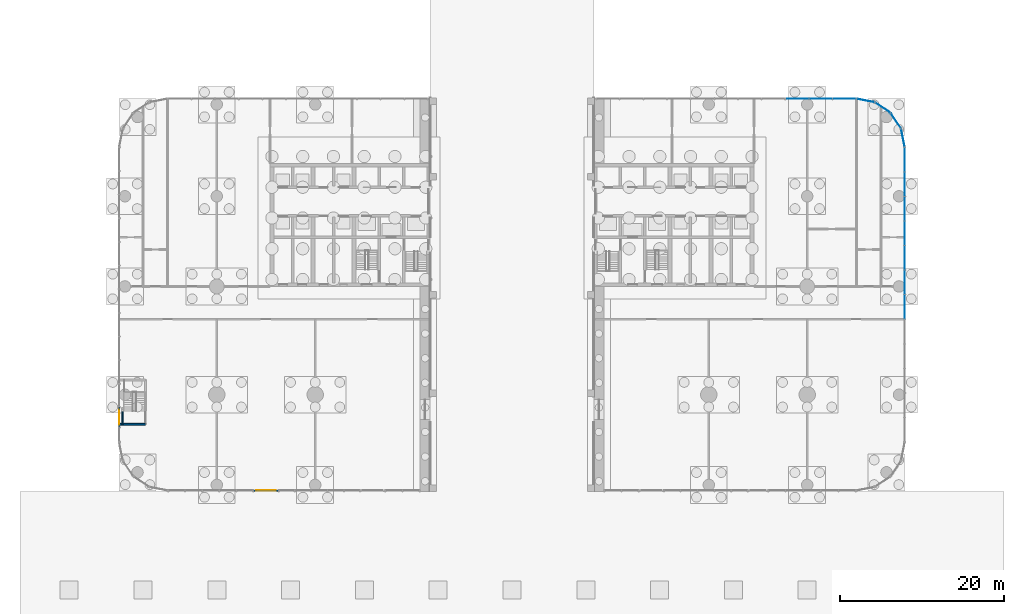
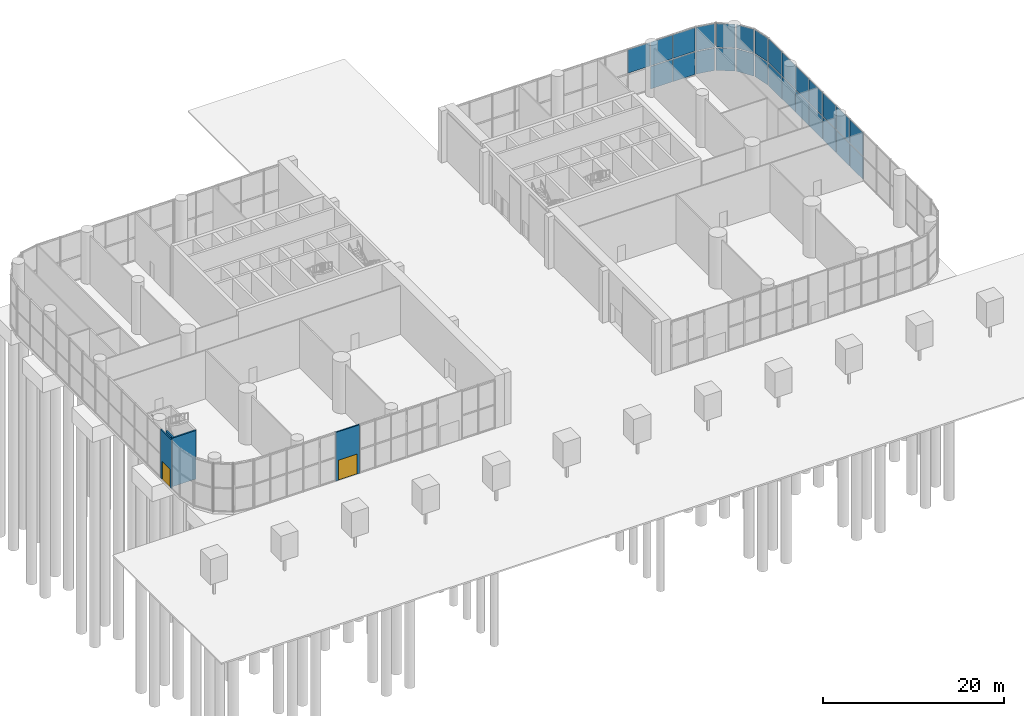
# One storey, part 16 of 26: 27 plates, 4 walls, 2 doors, 2 openings, 6 elements without a shape of their own.
"""IFC4 building model written with IfcOpenShell, lengths in metres."""

import ifcopenshell
import ifcopenshell.guid

model = None  # the IFC model being written
_history = None  # IfcOwnerHistory: only IFC2X3 demands one
_inside = {}  # id of a spatial element -> (the spatial element, [elements in it])
_under = {}  # id of a project, library or spatial element -> (it, [spatial elements below it])
_declared = {}  # id of a project -> (the project, [libraries it declares])
_typed = {}  # id of a type object -> (the type object, [elements of that type])
_made_of = {}  # id of a material, layer set ... -> (it, [elements and type objects made of it])


def new_model(schema):
    """Start an empty IFC model of exactly this schema.

    Asked for "IFC4X3", IfcOpenShell would pick the latest addendum, in which some entities
    have other attributes; the version numbers below select the first issue.
    IFC2X3 requires an IfcOwnerHistory on every rooted entity: one is made here for all.
    """
    global model, _history
    if schema == "IFC4X3":
        model = ifcopenshell.file(schema_version=(4, 3, 0, 0))
    else:
        model = ifcopenshell.file(schema=schema)
    _inside.clear()
    _under.clear()
    _declared.clear()
    _typed.clear()
    _made_of.clear()
    _history = None
    if model.schema == "IFC2X3":
        org = make("IfcOrganization", Name="unknown")
        user = make(
            "IfcPersonAndOrganization",
            ThePerson=make("IfcPerson", FamilyName="unknown"),
            TheOrganization=org,
        )
        app = make(
            "IfcApplication",
            ApplicationDeveloper=org,
            Version="unknown",
            ApplicationFullName="unknown",
            ApplicationIdentifier="unknown",
        )
        _history = make(
            "IfcOwnerHistory",
            OwningUser=user,
            OwningApplication=app,
            ChangeAction="ADDED",
            CreationDate=0,
        )
    return model


def make(cls, **values):
    """One entity of the class cls with the attributes given. An attribute that is None is left unset."""
    return model.create_entity(
        cls, **{name: value for name, value in values.items() if value is not None}
    )


def rooted(cls, **values):
    """An entity with a GlobalId (a new one), such as an element, a storey or a relation."""
    return make(cls, GlobalId=ifcopenshell.guid.new(), OwnerHistory=_history, **values)


def si_unit(unit_type, name, prefix=None):
    """IfcSIUnit, for example si_unit("LENGTHUNIT", "METRE", prefix="MILLI")."""
    return make("IfcSIUnit", UnitType=unit_type, Prefix=prefix, Name=name)


def assignment(units):
    """IfcUnitAssignment: the units of a project."""
    return None if units is None else make("IfcUnitAssignment", Units=units)


def point(xyz):
    """IfcCartesianPoint."""
    return None if xyz is None else make("IfcCartesianPoint", Coordinates=xyz)


def direction(xyz):
    """IfcDirection."""
    return None if xyz is None else make("IfcDirection", DirectionRatios=xyz)


def frame(location, z_axis=None, x_axis=None):
    """IfcAxis2Placement3D, a coordinate frame: its origin and axes. An axis left out is left unset."""
    return make(
        "IfcAxis2Placement3D",
        Location=point(location),
        Axis=direction(z_axis),
        RefDirection=direction(x_axis),
    )


def frame_2d(location, x_axis=None):
    """IfcAxis2Placement2D, a coordinate frame in the plane: its origin and x axis."""
    return make(
        "IfcAxis2Placement2D", Location=point(location), RefDirection=direction(x_axis)
    )


def origin():
    """The frame at (0, 0, 0) with its axes left unset."""
    return frame((0.0, 0.0, 0.0))


def origin_2d():
    """The frame at (0, 0) in the plane with its x axis left unset."""
    return frame_2d((0.0, 0.0))


def place(relative_to, where):
    """IfcLocalPlacement: puts the frame where relative to a parent placement (None: the world)."""
    return make(
        "IfcLocalPlacement", PlacementRelTo=relative_to, RelativePlacement=where
    )


def context(
    kind, dimensions, precision=None, world=None, true_north=None, identifier=None
):
    """IfcGeometricRepresentationContext, for example the 3D "Model" context."""
    return make(
        "IfcGeometricRepresentationContext",
        ContextIdentifier=identifier,
        ContextType=kind,
        CoordinateSpaceDimension=dimensions,
        Precision=precision,
        WorldCoordinateSystem=world,
        TrueNorth=true_north,
    )


def subcontext(parent, identifier, kind, view, scale=None):
    """IfcGeometricRepresentationSubContext, for example "Body" below "Model"."""
    return make(
        "IfcGeometricRepresentationSubContext",
        ContextIdentifier=identifier,
        ContextType=kind,
        ParentContext=parent,
        TargetScale=scale,
        TargetView=view,
    )


def project(units=None, contexts=None):
    """IfcProject with its units and contexts."""
    return rooted(
        "IfcProject",
        Name="project",
        RepresentationContexts=contexts,
        UnitsInContext=assignment(units),
    )


def spatial(cls, under=None, at=None, **own):
    """A site, building, storey or space (cls), placed at a placement, below another one or the project."""
    s = rooted(cls, ObjectPlacement=at, **own)
    if under is not None:
        _under.setdefault(under.id(), (under, []))[1].append(s)
    return s


def profile(cls, at=None, kind="AREA", **sizes):
    """A parametric profile (cls). Its sizes go by their IFC names, for example OverallWidth=200.0."""
    return make(cls, ProfileType=kind, Position=at, **sizes)


def rectangle(**sizes):
    """IfcRectangleProfileDef."""
    return profile("IfcRectangleProfileDef", **sizes)


def extrude(swept, where, along, depth):
    """IfcExtrudedAreaSolid: the profile swept, set in the frame where, extruded along a direction by depth."""
    return make(
        "IfcExtrudedAreaSolid",
        SweptArea=swept,
        Position=where,
        ExtrudedDirection=direction(along),
        Depth=depth,
    )


def shape(context_of_items, identifier, shape_type, items):
    """IfcShapeRepresentation: the items that make up one representation, for example the "Body"."""
    return make(
        "IfcShapeRepresentation",
        ContextOfItems=context_of_items,
        RepresentationIdentifier=identifier,
        RepresentationType=shape_type,
        Items=items,
    )


def material(Name=None, Category=None):
    """IfcMaterial."""
    return make("IfcMaterial", Name=Name, Category=Category)


def layer(
    of_material, thickness, ventilated=None, Name=None, Category=None, Priority=None
):
    """IfcMaterialLayer: one layer of a wall or slab, of a material (None: an air gap)."""
    return make(
        "IfcMaterialLayer",
        Material=of_material,
        LayerThickness=thickness,
        IsVentilated=ventilated,
        Name=Name,
        Category=Category,
        Priority=Priority,
    )


def layer_set(layers, Name=None):
    """IfcMaterialLayerSet."""
    return make("IfcMaterialLayerSet", MaterialLayers=layers, LayerSetName=Name)


def made_of(thing, what):
    """Note that an element or type object is made of a material, layer set ...; save() writes the relation."""
    if what is not None:
        _made_of.setdefault(what.id(), (what, []))[1].append(thing)
    return thing


def type_object(cls, material=None, **own):
    """A type object (cls), such as IfcWallType, which elements share."""
    return made_of(rooted(cls, **own), material)


def element(
    cls,
    number,
    at=None,
    inside=None,
    cuts=None,
    type_object=None,
    material=None,
    context=None,
    identifier="Body",
    shape_type=None,
    held_by="IfcProductDefinitionShape",
    body=None,
    shapes=None,
    **own,
):
    """One element of the class cls, such as IfcWall. Its Tag is "e" and its number.

    at: its placement. inside: the storey or other place that contains it. cuts: it is an
    opening in that element (IfcRelVoidsElement). A single representation is given by context,
    identifier, shape_type and body (its items); several are given by shapes. held_by: the class
    of the entity that holds the representations. save() writes the other relations.
    """
    e = rooted(cls, Tag="e%d" % number, ObjectPlacement=at, **own)
    if body is not None:
        shapes = [shape(context, identifier, shape_type, body)]
    if shapes is not None:
        e.Representation = make(held_by, Representations=shapes)
    if inside is not None:
        _inside.setdefault(inside.id(), (inside, []))[1].append(e)
    if cuts is not None:
        rooted(
            "IfcRelVoidsElement", RelatingBuildingElement=cuts, RelatedOpeningElement=e
        )
    if type_object is not None:
        _typed.setdefault(type_object.id(), (type_object, []))[1].append(e)
    return made_of(e, material)


def fill(opening, filler):
    """IfcRelFillsElement: the door or window that sits in an opening."""
    return rooted(
        "IfcRelFillsElement",
        RelatingOpeningElement=opening,
        RelatedBuildingElement=filler,
    )


def aggregate(whole, parts):
    """IfcRelAggregates: a whole, such as a stair, and the parts it consists of."""
    return rooted("IfcRelAggregates", RelatingObject=whole, RelatedObjects=parts)


def save(model, path):
    """Write the relations noted so far, then the file.

    IfcRelAggregates (storeys below a building ...), IfcRelContainedInSpatialStructure (elements
    in a storey), IfcRelDefinesByType, IfcRelAssociatesMaterial and IfcRelDeclares: one each for
    every whole, place, type object, material and project.
    """
    for whole, parts in _under.values():
        aggregate(whole, parts)
    for where, things in _inside.values():
        rooted(
            "IfcRelContainedInSpatialStructure",
            RelatedElements=things,
            RelatingStructure=where,
        )
    for kind, things in _typed.values():
        rooted("IfcRelDefinesByType", RelatedObjects=things, RelatingType=kind)
    for what, things in _made_of.values():
        rooted("IfcRelAssociatesMaterial", RelatedObjects=things, RelatingMaterial=what)
    for by, libraries in _declared.values():
        rooted("IfcRelDeclares", RelatingContext=by, RelatedDefinitions=libraries)
    model.write(path)


model = new_model("IFC4")

# Units and contexts
model_context = context("Model", 3, precision=1e-05, world=origin(), true_north=direction((0.0, 1.0)))
body_context = subcontext(model_context, "Body", "Model", "MODEL_VIEW")
ifc_project = project(units=[si_unit("LENGTHUNIT", "METRE"), si_unit("AREAUNIT", "SQUARE_METRE"), si_unit("VOLUMEUNIT", "CUBIC_METRE"), si_unit("PLANEANGLEUNIT", "RADIAN"), si_unit("MASSUNIT", "GRAM", prefix="KILO")], contexts=[model_context])

# Site, building, storey
site_placement = place(None, origin())
site = spatial("IfcSite", under=ifc_project, at=site_placement, CompositionType="ELEMENT")
building_placement = place(site_placement, origin())
building = spatial("IfcBuilding", under=site, at=building_placement, Name="Torana Hotel and Residences", CompositionType="ELEMENT")
storey_placement = place(building_placement, origin())
storey = spatial("IfcBuildingStorey", under=building, at=storey_placement, Name="L00", CompositionType="ELEMENT", Elevation=0.0)

# Curtain wall, plates
ifc_material_1 = material(Name="Dark anodised aluminium", Category="aluminium")
ifc_layer_1 = layer(ifc_material_1, 0.199951171875)
ifc_layer_set_1 = layer_set([ifc_layer_1], Name="CW1 PODIUM SHOPFRONT CURTAIN WALL")
curtain_wall_type = type_object("IfcCurtainWallType", Name="CW1 PODIUM SHOPFRONT CURTAIN WALL", PredefinedType="NOTDEFINED", material=ifc_layer_set_1)
curtain_wall_1_placement = place(storey_placement, origin())
curtain_wall_1 = element("IfcCurtainWall", 1, at=curtain_wall_1_placement, inside=storey, type_object=curtain_wall_type, Name="Curtain wall CW1 L00 e1.5-1", PredefinedType="NOTDEFINED")
ifc_material_2 = material(Name="Glass clear low-iron double glazed unit", Category="glass")
ifc_layer_2 = layer(ifc_material_2, 0.035888671875)
ifc_layer_set_2 = layer_set([ifc_layer_2], Name="CW1 DARK GLASS PANEL 36")
plate_type = type_object("IfcPlateType", Name="CW1 DARK GLASS PANEL 36", PredefinedType="CURTAIN_PANEL", material=ifc_layer_set_2)
plate_1_placement = place(storey_placement, frame((47.89990234375, -17.498046875, 0.119873046875), z_axis=(0.0, 0.0, 1.0), x_axis=(0.0, 1.0, 0.0)))
plate_1 = element("IfcPlate", 2, at=plate_1_placement, type_object=plate_type, Name="CW1 panel 6.1", PredefinedType="CURTAIN_PANEL", context=body_context, shape_type="SweptSolid", body=[
    extrude(rectangle(XDim=2.92578125, YDim=0.035888671875, at=origin_2d()), origin(), (0.0, 0.0, 1.0), 3.02001953125),
])
plate_2_placement = place(storey_placement, frame((47.89990234375, -17.498046875, 3.260009765625), z_axis=(0.0, 0.0, 1.0), x_axis=(0.0, 1.0, 0.0)))
plate_2 = element("IfcPlate", 3, at=plate_2_placement, type_object=plate_type, Name="CW1 panel 6.2", PredefinedType="CURTAIN_PANEL", context=body_context, shape_type="SweptSolid", body=[
    extrude(rectangle(XDim=2.92578125, YDim=0.035888671875, at=origin_2d()), origin(), (0.0, 0.0, 1.0), 3.169921875),
])
plate_3_placement = place(storey_placement, frame((47.89990234375, -14.501953125, 0.119873046875), z_axis=(0.0, 0.0, 1.0), x_axis=(0.0, 1.0, 0.0)))
plate_3 = element("IfcPlate", 4, at=plate_3_placement, type_object=plate_type, Name="CW1 panel 7.1", PredefinedType="CURTAIN_PANEL", context=body_context, shape_type="SweptSolid", body=[
    extrude(rectangle(XDim=2.92578125, YDim=0.035888671875, at=origin_2d()), origin(), (0.0, 0.0, 1.0), 3.02001953125),
])
plate_4_placement = place(storey_placement, frame((47.89990234375, -14.501953125, 3.260009765625), z_axis=(0.0, 0.0, 1.0), x_axis=(0.0, 1.0, 0.0)))
plate_4 = element("IfcPlate", 5, at=plate_4_placement, type_object=plate_type, Name="CW1 panel 7.2", PredefinedType="CURTAIN_PANEL", context=body_context, shape_type="SweptSolid", body=[
    extrude(rectangle(XDim=2.92578125, YDim=0.035888671875, at=origin_2d()), origin(), (0.0, 0.0, 1.0), 3.169921875),
])
plate_5_placement = place(storey_placement, frame((47.89990234375, -11.506103515625, 0.119873046875), z_axis=(0.0, 0.0, 1.0), x_axis=(0.0, 1.0, 0.0)))
plate_5 = element("IfcPlate", 6, at=plate_5_placement, type_object=plate_type, Name="CW1 panel 8.1", PredefinedType="CURTAIN_PANEL", context=body_context, shape_type="SweptSolid", body=[
    extrude(rectangle(XDim=2.92578125, YDim=0.035888671875, at=origin_2d()), origin(), (0.0, 0.0, 1.0), 3.02001953125),
])
plate_6_placement = place(storey_placement, frame((47.89990234375, -11.506103515625, 3.260009765625), z_axis=(0.0, 0.0, 1.0), x_axis=(0.0, 1.0, 0.0)))
plate_6 = element("IfcPlate", 7, at=plate_6_placement, type_object=plate_type, Name="CW1 panel 8.2", PredefinedType="CURTAIN_PANEL", context=body_context, shape_type="SweptSolid", body=[
    extrude(rectangle(XDim=2.92578125, YDim=0.035888671875, at=origin_2d()), origin(), (0.0, 0.0, 1.0), 3.169921875),
])
plate_7_placement = place(storey_placement, frame((47.89990234375, -8.51025390625, 0.119873046875), z_axis=(0.0, 0.0, 1.0), x_axis=(0.0, 1.0, 0.0)))
plate_7 = element("IfcPlate", 8, at=plate_7_placement, type_object=plate_type, Name="CW1 panel 9.1", PredefinedType="CURTAIN_PANEL", context=body_context, shape_type="SweptSolid", body=[
    extrude(rectangle(XDim=2.92578125, YDim=0.035888671875, at=origin_2d()), origin(), (0.0, 0.0, 1.0), 3.02001953125),
])
plate_8_placement = place(storey_placement, frame((47.89990234375, -8.51025390625, 3.260009765625), z_axis=(0.0, 0.0, 1.0), x_axis=(0.0, 1.0, 0.0)))
plate_8 = element("IfcPlate", 9, at=plate_8_placement, type_object=plate_type, Name="CW1 panel 9.2", PredefinedType="CURTAIN_PANEL", context=body_context, shape_type="SweptSolid", body=[
    extrude(rectangle(XDim=2.92578125, YDim=0.035888671875, at=origin_2d()), origin(), (0.0, 0.0, 1.0), 3.169921875),
])
plate_9_placement = place(storey_placement, frame((47.89990234375, -5.514404296875, 0.119873046875), z_axis=(0.0, 0.0, 1.0), x_axis=(0.0, 1.0, 0.0)))
plate_9 = element("IfcPlate", 10, at=plate_9_placement, type_object=plate_type, Name="CW1 panel 10.1", PredefinedType="CURTAIN_PANEL", context=body_context, shape_type="SweptSolid", body=[
    extrude(rectangle(XDim=2.92578125, YDim=0.035888671875, at=origin_2d()), origin(), (0.0, 0.0, 1.0), 3.02001953125),
])
plate_10_placement = place(storey_placement, frame((47.89990234375, -5.514404296875, 3.260009765625), z_axis=(0.0, 0.0, 1.0), x_axis=(0.0, 1.0, 0.0)))
plate_10 = element("IfcPlate", 11, at=plate_10_placement, type_object=plate_type, Name="CW1 panel 10.2", PredefinedType="CURTAIN_PANEL", context=body_context, shape_type="SweptSolid", body=[
    extrude(rectangle(XDim=2.92578125, YDim=0.035888671875, at=origin_2d()), origin(), (0.0, 0.0, 1.0), 3.169921875),
])
plate_11_placement = place(storey_placement, frame((47.89990234375, -2.5185546875, 0.119873046875), z_axis=(0.0, 0.0, 1.0), x_axis=(0.0, 1.0, 0.0)))
plate_11 = element("IfcPlate", 12, at=plate_11_placement, type_object=plate_type, Name="CW1 panel 11.1", PredefinedType="CURTAIN_PANEL", context=body_context, shape_type="SweptSolid", body=[
    extrude(rectangle(XDim=2.92578125, YDim=0.035888671875, at=origin_2d()), origin(), (0.0, 0.0, 1.0), 3.02001953125),
])
plate_12_placement = place(storey_placement, frame((47.89990234375, -2.5185546875, 3.260009765625), z_axis=(0.0, 0.0, 1.0), x_axis=(0.0, 1.0, 0.0)))
plate_12 = element("IfcPlate", 13, at=plate_12_placement, type_object=plate_type, Name="CW1 panel 11.2", PredefinedType="CURTAIN_PANEL", context=body_context, shape_type="SweptSolid", body=[
    extrude(rectangle(XDim=2.92578125, YDim=0.035888671875, at=origin_2d()), origin(), (0.0, 0.0, 1.0), 3.169921875),
])
plate_13_placement = place(storey_placement, frame((47.89990234375, 0.4599609375, 0.119873046875), z_axis=(0.0, 0.0, 1.0), x_axis=(0.0, 1.0, 0.0)))
plate_13 = element("IfcPlate", 14, at=plate_13_placement, type_object=plate_type, Name="CW1 panel 12.1", PredefinedType="CURTAIN_PANEL", context=body_context, shape_type="SweptSolid", body=[
    extrude(rectangle(XDim=2.890869140625, YDim=0.035888671875, at=origin_2d()), origin(), (0.0, 0.0, 1.0), 3.02001953125),
])
plate_14_placement = place(storey_placement, frame((47.89990234375, 0.4599609375, 3.260009765625), z_axis=(0.0, 0.0, 1.0), x_axis=(0.0, 1.0, 0.0)))
plate_14 = element("IfcPlate", 15, at=plate_14_placement, type_object=plate_type, Name="CW1 panel 12.2", PredefinedType="CURTAIN_PANEL", context=body_context, shape_type="SweptSolid", body=[
    extrude(rectangle(XDim=2.890869140625, YDim=0.035888671875, at=origin_2d()), origin(), (0.0, 0.0, 1.0), 3.169921875),
])
aggregate(curtain_wall_1, [plate_1, plate_2, plate_3, plate_4, plate_5, plate_6, plate_7, plate_8, plate_9, plate_10, plate_11, plate_12, plate_13, plate_14])

curtain_wall_2_placement = place(storey_placement, origin())
curtain_wall_2 = element("IfcCurtainWall", 16, at=curtain_wall_2_placement, inside=storey, type_object=curtain_wall_type, Name="Curtain wall CW1 L00 e1.6-1", PredefinedType="NOTDEFINED")
plate_15_placement = place(storey_placement, frame((47.676025390625, 3.1162109375, 0.119873046875), z_axis=(0.0, 0.0, 1.0), x_axis=(-0.195080996415, 0.980787135335, 0.0)))
plate_15 = element("IfcPlate", 17, at=plate_15_placement, type_object=plate_type, Name="CW1 panel 1.1", PredefinedType="CURTAIN_PANEL", context=body_context, shape_type="SweptSolid", body=[
    extrude(rectangle(XDim=2.126708984375, YDim=0.035888671875, at=origin_2d()), origin(), (0.0, 0.0, 1.0), 3.02001953125),
])
plate_16_placement = place(storey_placement, frame((47.676025390625, 3.1162109375, 3.260009765625), z_axis=(0.0, 0.0, 1.0), x_axis=(-0.195080996415, 0.980787135335, 0.0)))
plate_16 = element("IfcPlate", 18, at=plate_16_placement, type_object=plate_type, Name="CW1 panel 1.2", PredefinedType="CURTAIN_PANEL", context=body_context, shape_type="SweptSolid", body=[
    extrude(rectangle(XDim=2.126708984375, YDim=0.035888671875, at=origin_2d()), origin(), (0.0, 0.0, 1.0), 3.169921875),
])
aggregate(curtain_wall_2, [plate_15, plate_16])

curtain_wall_3_placement = place(storey_placement, origin())
curtain_wall_3 = element("IfcCurtainWall", 19, at=curtain_wall_3_placement, inside=storey, type_object=curtain_wall_type, Name="Curtain wall CW1 L00 e1.7-1", PredefinedType="NOTDEFINED")
plate_17_placement = place(storey_placement, frame((46.809814453125, 5.2138671875, 0.119873046875), z_axis=(0.0, 0.0, 1.0), x_axis=(-0.555585238723, 0.831459585616, 0.0)))
plate_17 = element("IfcPlate", 20, at=plate_17_placement, type_object=plate_type, Name="CW1 panel 1.1", PredefinedType="CURTAIN_PANEL", context=body_context, shape_type="SweptSolid", body=[
    extrude(rectangle(XDim=2.1015625, YDim=0.035888671875, at=origin_2d()), origin(), (0.0, 0.0, 1.0), 3.02001953125),
])
plate_18_placement = place(storey_placement, frame((46.809814453125, 5.2138671875, 3.260009765625), z_axis=(0.0, 0.0, 1.0), x_axis=(-0.555585238723, 0.831459585616, 0.0)))
plate_18 = element("IfcPlate", 21, at=plate_18_placement, type_object=plate_type, Name="CW1 panel 1.2", PredefinedType="CURTAIN_PANEL", context=body_context, shape_type="SweptSolid", body=[
    extrude(rectangle(XDim=2.1015625, YDim=0.035888671875, at=origin_2d()), origin(), (0.0, 0.0, 1.0), 3.169921875),
])
aggregate(curtain_wall_3, [plate_17, plate_18])

curtain_wall_4_placement = place(storey_placement, origin())
curtain_wall_4 = element("IfcCurtainWall", 22, at=curtain_wall_4_placement, inside=storey, type_object=curtain_wall_type, Name="Curtain wall CW1 L00 e1.8-1", PredefinedType="NOTDEFINED")
plate_19_placement = place(storey_placement, frame((45.2138671875, 6.809814453125, 0.119873046875), z_axis=(0.0, 0.0, 1.0), x_axis=(-0.831459585616, 0.555585238723, 0.0)))
plate_19 = element("IfcPlate", 23, at=plate_19_placement, type_object=plate_type, Name="CW1 panel 1.1", PredefinedType="CURTAIN_PANEL", context=body_context, shape_type="SweptSolid", body=[
    extrude(rectangle(XDim=2.1015625, YDim=0.035888671875, at=origin_2d()), origin(), (0.0, 0.0, 1.0), 3.02001953125),
])
plate_20_placement = place(storey_placement, frame((45.2138671875, 6.809814453125, 3.260009765625), z_axis=(0.0, 0.0, 1.0), x_axis=(-0.831459585616, 0.555585238723, 0.0)))
plate_20 = element("IfcPlate", 24, at=plate_20_placement, type_object=plate_type, Name="CW1 panel 1.2", PredefinedType="CURTAIN_PANEL", context=body_context, shape_type="SweptSolid", body=[
    extrude(rectangle(XDim=2.1015625, YDim=0.035888671875, at=origin_2d()), origin(), (0.0, 0.0, 1.0), 3.169921875),
])
aggregate(curtain_wall_4, [plate_19, plate_20])

curtain_wall_5_placement = place(storey_placement, origin())
curtain_wall_5 = element("IfcCurtainWall", 25, at=curtain_wall_5_placement, inside=storey, type_object=curtain_wall_type, Name="Curtain wall CW1 L00 e1.9-1", PredefinedType="NOTDEFINED")
plate_21_placement = place(storey_placement, frame((43.1162109375, 7.676025390625, 0.119873046875), z_axis=(0.0, 0.0, 1.0), x_axis=(-0.980787135335, 0.195080996415, 0.0)))
plate_21 = element("IfcPlate", 26, at=plate_21_placement, type_object=plate_type, Name="CW1 panel 1.1", PredefinedType="CURTAIN_PANEL", context=body_context, shape_type="SweptSolid", body=[
    extrude(rectangle(XDim=2.126708984375, YDim=0.035888671875, at=origin_2d()), origin(), (0.0, 0.0, 1.0), 3.02001953125),
])
plate_22_placement = place(storey_placement, frame((43.1162109375, 7.676025390625, 3.260009765625), z_axis=(0.0, 0.0, 1.0), x_axis=(-0.980787135335, 0.195080996415, 0.0)))
plate_22 = element("IfcPlate", 27, at=plate_22_placement, type_object=plate_type, Name="CW1 panel 1.2", PredefinedType="CURTAIN_PANEL", context=body_context, shape_type="SweptSolid", body=[
    extrude(rectangle(XDim=2.126708984375, YDim=0.035888671875, at=origin_2d()), origin(), (0.0, 0.0, 1.0), 3.169921875),
])
aggregate(curtain_wall_5, [plate_21, plate_22])

curtain_wall_6_placement = place(storey_placement, origin())
curtain_wall_6 = element("IfcCurtainWall", 28, at=curtain_wall_6_placement, inside=storey, type_object=curtain_wall_type, Name="Curtain wall CW1 L00 e1.10-1", PredefinedType="NOTDEFINED")
plate_23_placement = place(storey_placement, frame((40.515869140625, 7.89990234375, 0.119873046875), z_axis=(0.0, 0.0, 1.0), x_axis=(-1.0, 0.0, 0.0)))
plate_23 = element("IfcPlate", 29, at=plate_23_placement, type_object=plate_type, Name="CW1 panel 1.1", PredefinedType="CURTAIN_PANEL", context=body_context, shape_type="SweptSolid", body=[
    extrude(rectangle(XDim=2.779052734375, YDim=0.035888671875, at=origin_2d()), origin(), (0.0, 0.0, 1.0), 3.02001953125),
])
plate_24_placement = place(storey_placement, frame((40.515869140625, 7.89990234375, 3.260009765625), z_axis=(0.0, 0.0, 1.0), x_axis=(-1.0, 0.0, 0.0)))
plate_24 = element("IfcPlate", 30, at=plate_24_placement, type_object=plate_type, Name="CW1 panel 1.2", PredefinedType="CURTAIN_PANEL", context=body_context, shape_type="SweptSolid", body=[
    extrude(rectangle(XDim=2.779052734375, YDim=0.035888671875, at=origin_2d()), origin(), (0.0, 0.0, 1.0), 3.169921875),
])
plate_25_placement = place(storey_placement, frame((37.649169921875, 7.89990234375, 0.119873046875), z_axis=(0.0, 0.0, 1.0), x_axis=(-1.0, 0.0, 0.0)))
plate_25 = element("IfcPlate", 31, at=plate_25_placement, type_object=plate_type, Name="CW1 panel 2.1", PredefinedType="CURTAIN_PANEL", context=body_context, shape_type="SweptSolid", body=[
    extrude(rectangle(XDim=2.814208984375, YDim=0.035888671875, at=origin_2d()), origin(), (0.0, 0.0, 1.0), 3.02001953125),
])
plate_26_placement = place(storey_placement, frame((37.649169921875, 7.89990234375, 3.260009765625), z_axis=(0.0, 0.0, 1.0), x_axis=(-1.0, 0.0, 0.0)))
plate_26 = element("IfcPlate", 32, at=plate_26_placement, type_object=plate_type, Name="CW1 panel 2.2", PredefinedType="CURTAIN_PANEL", context=body_context, shape_type="SweptSolid", body=[
    extrude(rectangle(XDim=2.814208984375, YDim=0.035888671875, at=origin_2d()), origin(), (0.0, 0.0, 1.0), 3.169921875),
])
plate_27_placement = place(storey_placement, frame((34.76513671875, 7.89990234375, 3.260009765625), z_axis=(0.0, 0.0, 1.0), x_axis=(-1.0, 0.0, 0.0)))
plate_27 = element("IfcPlate", 33, at=plate_27_placement, type_object=plate_type, Name="CW1 panel 3.2", PredefinedType="CURTAIN_PANEL", context=body_context, shape_type="SweptSolid", body=[
    extrude(rectangle(XDim=2.814208984375, YDim=0.035888671875, at=origin_2d()), origin(), (0.0, 0.0, 1.0), 3.169921875),
])
aggregate(curtain_wall_6, [plate_23, plate_24, plate_25, plate_26, plate_27])

# Wall, opening, door
ifc_material_3 = material(Name="Dark glass screen in aluminium frame", Category="aluminium")
ifc_layer_3 = layer(ifc_material_3, 0.14990234375)
ifc_layer_set_3 = layer_set([ifc_layer_3], Name="GS1 GLAZED DOOR SCREEN 150")
wall_type_1 = type_object("IfcWallType", Name="GS1 GLAZED DOOR SCREEN 150", PredefinedType="USERDEFINED", material=ifc_layer_set_3)
wall_1_placement = place(storey_placement, frame((-31.5, -39.89990234375, 0.0), z_axis=(0.0, 0.0, 1.0), x_axis=(1.0, 0.0, 0.0)))
wall_1 = element("IfcWall", 34, at=wall_1_placement, inside=storey, type_object=wall_type_1, Name="Glazed door screen L00", ObjectType="GLAZED SCREEN", PredefinedType="USERDEFINED", context=body_context, shape_type="SweptSolid", body=[
    extrude(rectangle(XDim=3.0, YDim=0.14990234375, at=frame_2d((1.5, 0.0))), origin(), (0.0, 0.0, 1.0), 6.550048828125),
])
opening_1_placement = place(wall_1_placement, frame((0.300048828125, 0.0, 0.0)))
opening_1 = element("IfcOpeningElement", 35, at=opening_1_placement, cuts=wall_1, Name="Opening L00-E01", PredefinedType="OPENING", context=body_context, shape_type="SweptSolid", body=[
    extrude(rectangle(XDim=2.39990234375, YDim=2.699951171875, at=frame_2d((1.199951171875, 1.35009765625))), frame((0.0, 0.0849609375, 0.0), z_axis=(0.0, -1.0, 0.0), x_axis=(1.0, 0.0, 0.0)), (0.0, 0.0, 1.0), 0.169921875),
])
ifc_material_4 = material(Name="Glass door in stainless steel frame", Category="steel")
door_type_1 = type_object("IfcDoorType", Name="DE1 ENTRANCE DOOR 2400x2700", OperationType="DOUBLE_DOOR_DOUBLE_SWING", PredefinedType="DOOR", material=ifc_material_4)
door_1_placement = place(opening_1_placement, frame((1.199951171875, 0.0, 0.0), z_axis=(0.0, 0.0, 1.0), x_axis=(-1.0, 0.0, 0.0)))
door_1 = element("IfcDoor", 36, at=door_1_placement, inside=storey, type_object=door_type_1, Name="Entrance door L00", OperationType="DOUBLE_DOOR_DOUBLE_SWING", OverallHeight=2.699951171875, OverallWidth=2.39990234375, PredefinedType="DOOR", context=body_context, shape_type="SweptSolid", body=[
    extrude(rectangle(XDim=2.39990234375, YDim=2.699951171875, at=frame_2d((0.0, 1.35009765625))), frame((0.0, -0.02490234375, 0.0), z_axis=(0.0, 1.0, 0.0), x_axis=(-1.0, 0.0, 0.0)), (0.0, 0.0, 1.0), 0.050048828125),
])
fill(opening_1, door_1)

wall_2_placement = place(storey_placement, frame((-47.89990234375, -29.75, 0.0), z_axis=(0.0, 0.0, 1.0), x_axis=(0.0, -1.0, 0.0)))
wall_2 = element("IfcWall", 37, at=wall_2_placement, inside=storey, type_object=wall_type_1, Name="Glazed door screen L00", ObjectType="GLAZED SCREEN", PredefinedType="USERDEFINED", context=body_context, shape_type="SweptSolid", body=[
    extrude(rectangle(XDim=2.39990234375, YDim=0.14990234375, at=frame_2d((1.199951171875, 0.0))), origin(), (0.0, 0.0, 1.0), 6.550048828125),
])
opening_2_placement = place(wall_2_placement, frame((0.300048828125, 0.0, 0.0)))
opening_2 = element("IfcOpeningElement", 38, at=opening_2_placement, cuts=wall_2, Name="Opening L00-E03", PredefinedType="OPENING", context=body_context, shape_type="SweptSolid", body=[
    extrude(rectangle(XDim=1.800048828125, YDim=2.39990234375, at=frame_2d((0.89990234375, 1.199951171875))), frame((0.0, 0.0849609375, 0.0), z_axis=(0.0, -1.0, 0.0), x_axis=(1.0, 0.0, 0.0)), (0.0, 0.0, 1.0), 0.169921875),
])
ifc_material_5 = material(Name="Glass door in stainless steel frame", Category="steel")
door_type_2 = type_object("IfcDoorType", Name="DE3 EXIT DOOR 1800x2400", OperationType="DOUBLE_DOOR_SINGLE_SWING", PredefinedType="DOOR", material=ifc_material_5)
door_2_placement = place(opening_2_placement, frame((0.89990234375, 0.0, 0.0), z_axis=(0.0, 0.0, 1.0), x_axis=(-1.0, 0.0, 0.0)))
door_2 = element("IfcDoor", 39, at=door_2_placement, inside=storey, type_object=door_type_2, Name="Entrance door L00", OperationType="DOUBLE_DOOR_SINGLE_SWING", OverallHeight=2.39990234375, OverallWidth=1.800048828125, PredefinedType="DOOR", context=body_context, shape_type="SweptSolid", body=[
    extrude(rectangle(XDim=1.800048828125, YDim=2.39990234375, at=frame_2d((0.0, 1.199951171875))), frame((0.0, -0.02490234375, 0.0), z_axis=(0.0, 1.0, 0.0), x_axis=(-1.0, 0.0, 0.0)), (0.0, 0.0, 1.0), 0.050048828125),
])
fill(opening_2, door_2)

# Walls
ifc_material_6 = material(Name="Concrete C40/50", Category="concrete")
ifc_layer_4 = layer(ifc_material_6, 0.199951171875)
ifc_layer_set_4 = layer_set([ifc_layer_4], Name="STAIR ENCLOSURE INFILL 200 C40/50 EI 120")
wall_type_2 = type_object("IfcWallType", Name="STAIR ENCLOSURE INFILL 200 C40/50 EI 120", PredefinedType="PARTITIONING", material=ifc_layer_set_4)
wall_3_placement = place(storey_placement, frame((-47.5, -31.800048828125, 3.300048828125), z_axis=(0.0, 0.0, 1.0), x_axis=(0.0, 1.0, 0.0)))
element("IfcWall", 40, at=wall_3_placement, inside=storey, type_object=wall_type_2, Name="Stair cell wall ST5", PredefinedType="PARTITIONING", context=body_context, shape_type="SweptSolid", body=[
    extrude(rectangle(XDim=1.5, YDim=0.199951171875, at=frame_2d((0.75, 0.0))), origin(), (0.0, 0.0, 1.0), 3.25),
])
ifc_material_7 = material(Name="Concrete C40/50", Category="concrete")
ifc_layer_5 = layer(ifc_material_7, 0.199951171875)
ifc_layer_set_5 = layer_set([ifc_layer_5], Name="STAIR ENCLOSURE WALL 200 C40/50 120 min")
wall_type_3 = type_object("IfcWallType", Name="STAIR ENCLOSURE WALL 200 C40/50 120 min", PredefinedType="SHEAR", material=ifc_layer_set_5)
wall_4_placement = place(storey_placement, frame((-47.820068359375, -31.800048828125, 0.0), z_axis=(0.0, 0.0, 1.0), x_axis=(1.0, 0.0, 0.0)))
element("IfcWall", 41, at=wall_4_placement, inside=storey, type_object=wall_type_3, Name="Partition L00", PredefinedType="SHEAR", context=body_context, shape_type="SweptSolid", body=[
    extrude(rectangle(XDim=3.1201171875, YDim=0.199951171875, at=frame_2d((1.56005859375, 0.0))), origin(), (0.0, 0.0, 1.0), 6.550048828125),
])

save(model, "model.ifc")
